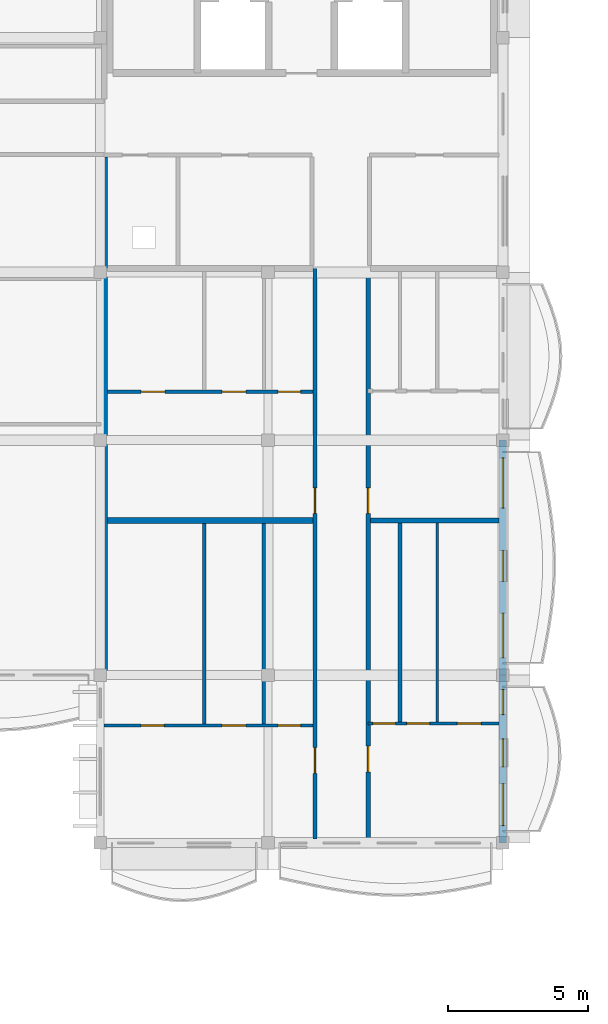
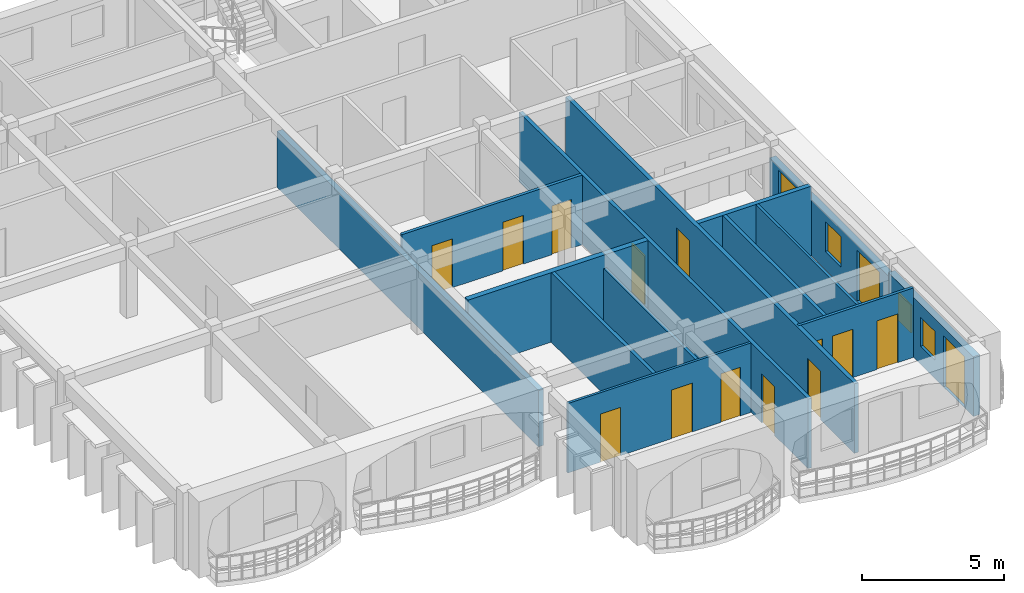
# One storey, part 39 of 68: 15 doors, 14 walls, 4 windows, 19 openings.
"""IFC4 building model written with IfcOpenShell, lengths in metres."""

import ifcopenshell
import ifcopenshell.guid

model = None  # the IFC model being written
_history = None  # IfcOwnerHistory: only IFC2X3 demands one
_inside = {}  # id of a spatial element -> (the spatial element, [elements in it])
_under = {}  # id of a project, library or spatial element -> (it, [spatial elements below it])
_declared = {}  # id of a project -> (the project, [libraries it declares])
_typed = {}  # id of a type object -> (the type object, [elements of that type])
_made_of = {}  # id of a material, layer set ... -> (it, [elements and type objects made of it])


def new_model(schema):
    """Start an empty IFC model of exactly this schema.

    Asked for "IFC4X3", IfcOpenShell would pick the latest addendum, in which some entities
    have other attributes; the version numbers below select the first issue.
    IFC2X3 requires an IfcOwnerHistory on every rooted entity: one is made here for all.
    """
    global model, _history
    if schema == "IFC4X3":
        model = ifcopenshell.file(schema_version=(4, 3, 0, 0))
    else:
        model = ifcopenshell.file(schema=schema)
    _inside.clear()
    _under.clear()
    _declared.clear()
    _typed.clear()
    _made_of.clear()
    _history = None
    if model.schema == "IFC2X3":
        org = make("IfcOrganization", Name="unknown")
        user = make(
            "IfcPersonAndOrganization",
            ThePerson=make("IfcPerson", FamilyName="unknown"),
            TheOrganization=org,
        )
        app = make(
            "IfcApplication",
            ApplicationDeveloper=org,
            Version="unknown",
            ApplicationFullName="unknown",
            ApplicationIdentifier="unknown",
        )
        _history = make(
            "IfcOwnerHistory",
            OwningUser=user,
            OwningApplication=app,
            ChangeAction="ADDED",
            CreationDate=0,
        )
    return model


def make(cls, **values):
    """One entity of the class cls with the attributes given. An attribute that is None is left unset."""
    return model.create_entity(
        cls, **{name: value for name, value in values.items() if value is not None}
    )


def rooted(cls, **values):
    """An entity with a GlobalId (a new one), such as an element, a storey or a relation."""
    return make(cls, GlobalId=ifcopenshell.guid.new(), OwnerHistory=_history, **values)


def si_unit(unit_type, name, prefix=None):
    """IfcSIUnit, for example si_unit("LENGTHUNIT", "METRE", prefix="MILLI")."""
    return make("IfcSIUnit", UnitType=unit_type, Prefix=prefix, Name=name)


def assignment(units):
    """IfcUnitAssignment: the units of a project."""
    return None if units is None else make("IfcUnitAssignment", Units=units)


def point(xyz):
    """IfcCartesianPoint."""
    return None if xyz is None else make("IfcCartesianPoint", Coordinates=xyz)


def direction(xyz):
    """IfcDirection."""
    return None if xyz is None else make("IfcDirection", DirectionRatios=xyz)


def frame(location, z_axis=None, x_axis=None):
    """IfcAxis2Placement3D, a coordinate frame: its origin and axes. An axis left out is left unset."""
    return make(
        "IfcAxis2Placement3D",
        Location=point(location),
        Axis=direction(z_axis),
        RefDirection=direction(x_axis),
    )


def frame_2d(location, x_axis=None):
    """IfcAxis2Placement2D, a coordinate frame in the plane: its origin and x axis."""
    return make(
        "IfcAxis2Placement2D", Location=point(location), RefDirection=direction(x_axis)
    )


def origin():
    """The frame at (0, 0, 0) with its axes left unset."""
    return frame((0.0, 0.0, 0.0))


def place(relative_to, where):
    """IfcLocalPlacement: puts the frame where relative to a parent placement (None: the world)."""
    return make(
        "IfcLocalPlacement", PlacementRelTo=relative_to, RelativePlacement=where
    )


def context(
    kind, dimensions, precision=None, world=None, true_north=None, identifier=None
):
    """IfcGeometricRepresentationContext, for example the 3D "Model" context."""
    return make(
        "IfcGeometricRepresentationContext",
        ContextIdentifier=identifier,
        ContextType=kind,
        CoordinateSpaceDimension=dimensions,
        Precision=precision,
        WorldCoordinateSystem=world,
        TrueNorth=true_north,
    )


def subcontext(parent, identifier, kind, view, scale=None):
    """IfcGeometricRepresentationSubContext, for example "Body" below "Model"."""
    return make(
        "IfcGeometricRepresentationSubContext",
        ContextIdentifier=identifier,
        ContextType=kind,
        ParentContext=parent,
        TargetScale=scale,
        TargetView=view,
    )


def project(units=None, contexts=None):
    """IfcProject with its units and contexts."""
    return rooted(
        "IfcProject",
        Name="project",
        RepresentationContexts=contexts,
        UnitsInContext=assignment(units),
    )


def spatial(cls, under=None, at=None, **own):
    """A site, building, storey or space (cls), placed at a placement, below another one or the project."""
    s = rooted(cls, ObjectPlacement=at, **own)
    if under is not None:
        _under.setdefault(under.id(), (under, []))[1].append(s)
    return s


def profile(cls, at=None, kind="AREA", **sizes):
    """A parametric profile (cls). Its sizes go by their IFC names, for example OverallWidth=200.0."""
    return make(cls, ProfileType=kind, Position=at, **sizes)


def rectangle(**sizes):
    """IfcRectangleProfileDef."""
    return profile("IfcRectangleProfileDef", **sizes)


def extrude(swept, where, along, depth):
    """IfcExtrudedAreaSolid: the profile swept, set in the frame where, extruded along a direction by depth."""
    return make(
        "IfcExtrudedAreaSolid",
        SweptArea=swept,
        Position=where,
        ExtrudedDirection=direction(along),
        Depth=depth,
    )


def shape(context_of_items, identifier, shape_type, items):
    """IfcShapeRepresentation: the items that make up one representation, for example the "Body"."""
    return make(
        "IfcShapeRepresentation",
        ContextOfItems=context_of_items,
        RepresentationIdentifier=identifier,
        RepresentationType=shape_type,
        Items=items,
    )


def material(Name=None, Category=None):
    """IfcMaterial."""
    return make("IfcMaterial", Name=Name, Category=Category)


def layer(
    of_material, thickness, ventilated=None, Name=None, Category=None, Priority=None
):
    """IfcMaterialLayer: one layer of a wall or slab, of a material (None: an air gap)."""
    return make(
        "IfcMaterialLayer",
        Material=of_material,
        LayerThickness=thickness,
        IsVentilated=ventilated,
        Name=Name,
        Category=Category,
        Priority=Priority,
    )


def layer_set(layers, Name=None):
    """IfcMaterialLayerSet."""
    return make("IfcMaterialLayerSet", MaterialLayers=layers, LayerSetName=Name)


def made_of(thing, what):
    """Note that an element or type object is made of a material, layer set ...; save() writes the relation."""
    if what is not None:
        _made_of.setdefault(what.id(), (what, []))[1].append(thing)
    return thing


def type_object(cls, material=None, **own):
    """A type object (cls), such as IfcWallType, which elements share."""
    return made_of(rooted(cls, **own), material)


def element(
    cls,
    number,
    at=None,
    inside=None,
    cuts=None,
    type_object=None,
    material=None,
    context=None,
    identifier="Body",
    shape_type=None,
    held_by="IfcProductDefinitionShape",
    body=None,
    shapes=None,
    **own,
):
    """One element of the class cls, such as IfcWall. Its Tag is "e" and its number.

    at: its placement. inside: the storey or other place that contains it. cuts: it is an
    opening in that element (IfcRelVoidsElement). A single representation is given by context,
    identifier, shape_type and body (its items); several are given by shapes. held_by: the class
    of the entity that holds the representations. save() writes the other relations.
    """
    e = rooted(cls, Tag="e%d" % number, ObjectPlacement=at, **own)
    if body is not None:
        shapes = [shape(context, identifier, shape_type, body)]
    if shapes is not None:
        e.Representation = make(held_by, Representations=shapes)
    if inside is not None:
        _inside.setdefault(inside.id(), (inside, []))[1].append(e)
    if cuts is not None:
        rooted(
            "IfcRelVoidsElement", RelatingBuildingElement=cuts, RelatedOpeningElement=e
        )
    if type_object is not None:
        _typed.setdefault(type_object.id(), (type_object, []))[1].append(e)
    return made_of(e, material)


def fill(opening, filler):
    """IfcRelFillsElement: the door or window that sits in an opening."""
    return rooted(
        "IfcRelFillsElement",
        RelatingOpeningElement=opening,
        RelatedBuildingElement=filler,
    )


def aggregate(whole, parts):
    """IfcRelAggregates: a whole, such as a stair, and the parts it consists of."""
    return rooted("IfcRelAggregates", RelatingObject=whole, RelatedObjects=parts)


def save(model, path):
    """Write the relations noted so far, then the file.

    IfcRelAggregates (storeys below a building ...), IfcRelContainedInSpatialStructure (elements
    in a storey), IfcRelDefinesByType, IfcRelAssociatesMaterial and IfcRelDeclares: one each for
    every whole, place, type object, material and project.
    """
    for whole, parts in _under.values():
        aggregate(whole, parts)
    for where, things in _inside.values():
        rooted(
            "IfcRelContainedInSpatialStructure",
            RelatedElements=things,
            RelatingStructure=where,
        )
    for kind, things in _typed.values():
        rooted("IfcRelDefinesByType", RelatedObjects=things, RelatingType=kind)
    for what, things in _made_of.values():
        rooted("IfcRelAssociatesMaterial", RelatedObjects=things, RelatingMaterial=what)
    for by, libraries in _declared.values():
        rooted("IfcRelDeclares", RelatingContext=by, RelatedDefinitions=libraries)
    model.write(path)


model = new_model("IFC4")

# Units and contexts
model_context = context("Model", 3, precision=1e-05, world=origin(), true_north=direction((0.0, 1.0)))
body_context = subcontext(model_context, "Body", "Model", "MODEL_VIEW")
ifc_project = project(units=[si_unit("LENGTHUNIT", "METRE"), si_unit("AREAUNIT", "SQUARE_METRE"), si_unit("VOLUMEUNIT", "CUBIC_METRE"), si_unit("PLANEANGLEUNIT", "RADIAN"), si_unit("MASSUNIT", "GRAM", prefix="KILO"), si_unit("THERMODYNAMICTEMPERATUREUNIT", "KELVIN")], contexts=[model_context])

# Site, building, storey
site_placement = place(None, origin())
site = spatial("IfcSite", under=ifc_project, at=site_placement, CompositionType="ELEMENT")
building_placement = place(site_placement, origin())
building = spatial("IfcBuilding", under=site, at=building_placement, Name="Thalorik Housing Commons", CompositionType="ELEMENT")
storey_placement = place(building_placement, frame((0.0, 0.0, 24.60009765625)))
storey = spatial("IfcBuildingStorey", under=building, at=storey_placement, Name="L07", CompositionType="ELEMENT", Elevation=24.60009765625)

# Wall, openings, doors
ifc_material_1 = material(Name="Masonry fire-rated corridor wall", Category="masonry")
ifc_layer_1 = layer(ifc_material_1, 0.14990234375, Name="Masonry fire-rated corridor wall", Category="masonry")
ifc_layer_set_1 = layer_set([ifc_layer_1], Name="Masonry fire-rated corridor wall")
wall_type_1 = type_object("IfcWallType", Name="ARC-WAL-CORR-150", PredefinedType="PARTITIONING", material=ifc_layer_set_1)
wall_1_placement = place(storey_placement, frame((160.080078125, 37.33447265625, 0.0), z_axis=(0.0, 0.0, 1.0), x_axis=(0.0, 1.0, 0.0)))
wall_1 = element("IfcWall", 1, at=wall_1_placement, inside=storey, type_object=wall_type_1, Name="L07 Block D E Corridor Wall 1", PredefinedType="PARTITIONING", context=body_context, shape_type="SweptSolid", body=[
    extrude(rectangle(XDim=20.405517578125, YDim=0.14990234375, at=frame_2d((10.20263671875, 0.0))), origin(), (0.0, 0.0, 1.0), 3.0),
])
opening_1_placement = place(wall_1_placement, frame((2.348876953125, 0.0, 0.0)))
opening_1 = element("IfcOpeningElement", 2, at=opening_1_placement, cuts=wall_1, Name="Opening ID-2136", PredefinedType="OPENING", context=body_context, shape_type="SweptSolid", body=[
    extrude(rectangle(XDim=0.919921875, YDim=2.10009765625, at=frame_2d((0.4599609375, 1.050048828125))), frame((0.0, 0.0849609375, 0.0), z_axis=(0.0, -1.0, 0.0), x_axis=(1.0, 0.0, 0.0)), (0.0, 0.0, 1.0), 0.169921875),
])
opening_2_placement = place(wall_1_placement, frame((11.6455078125, 0.0, 0.0)))
opening_2 = element("IfcOpeningElement", 3, at=opening_2_placement, cuts=wall_1, Name="Opening ID-2137", PredefinedType="OPENING", context=body_context, shape_type="SweptSolid", body=[
    extrude(rectangle(XDim=0.919921875, YDim=2.10009765625, at=frame_2d((0.4599609375, 1.050048828125))), frame((0.0, 0.0849609375, 0.0), z_axis=(0.0, -1.0, 0.0), x_axis=(1.0, 0.0, 0.0)), (0.0, 0.0, 1.0), 0.169921875),
])
ifc_material_2 = material(Name="Solid core hardwood timber", Category="wood")
door_type_1 = type_object("IfcDoorType", Name="ARC-DR-FD30-920", OperationType="NOTDEFINED", PredefinedType="DOOR", material=ifc_material_2)
door_1_placement = place(opening_1_placement, origin())
door_1 = element("IfcDoor", 4, at=door_1_placement, inside=storey, type_object=door_type_1, Name="L07 Flat DE-1A Entrance Door", OperationType="SINGLE_SWING_LEFT", OverallHeight=2.10009765625, OverallWidth=0.919921875, PredefinedType="DOOR", context=body_context, shape_type="SweptSolid", body=[
    extrude(rectangle(XDim=0.919921875, YDim=2.10009765625, at=frame_2d((0.4599609375, 1.050048828125))), frame((0.0, 0.02490234375, 0.0), z_axis=(0.0, -1.0, 0.0), x_axis=(1.0, 0.0, 0.0)), (0.0, 0.0, 1.0), 0.050048828125),
])
fill(opening_1, door_1)
door_2_placement = place(opening_2_placement, origin())
door_2 = element("IfcDoor", 5, at=door_2_placement, inside=storey, type_object=door_type_1, Name="L07 Flat DE-2A Entrance Door", OperationType="SINGLE_SWING_RIGHT", OverallHeight=2.10009765625, OverallWidth=0.919921875, PredefinedType="DOOR", context=body_context, shape_type="SweptSolid", body=[
    extrude(rectangle(XDim=0.919921875, YDim=2.10009765625, at=frame_2d((0.4599609375, 1.050048828125))), frame((0.0, 0.02490234375, 0.0), z_axis=(0.0, -1.0, 0.0), x_axis=(1.0, 0.0, 0.0)), (0.0, 0.0, 1.0), 0.050048828125),
])
fill(opening_2, door_2)

ifc_layer_2 = layer(ifc_material_1, 0.1650390625, Name="Masonry fire-rated corridor wall", Category="masonry")
ifc_layer_set_2 = layer_set([ifc_layer_2], Name="Masonry fire-rated corridor wall")
wall_type_2 = type_object("IfcWallType", Name="ARC-WAL-CORR-165", PredefinedType="PARTITIONING", material=ifc_layer_set_2)
wall_2_placement = place(storey_placement, frame((161.97998046875, 37.33447265625, 0.0), z_axis=(0.0, 0.0, 1.0), x_axis=(0.0, 1.0, 0.0)))
wall_2 = element("IfcWall", 6, at=wall_2_placement, inside=storey, type_object=wall_type_2, Name="L07 Block D E Corridor Wall 2", PredefinedType="PARTITIONING", context=body_context, shape_type="SweptSolid", body=[
    extrude(rectangle(XDim=20.405517578125, YDim=0.1650390625, at=frame_2d((10.20263671875, 0.0))), origin(), (0.0, 0.0, 1.0), 3.0),
])
opening_3_placement = place(wall_2_placement, frame((2.40625, 0.0, 0.0)))
opening_3 = element("IfcOpeningElement", 7, at=opening_3_placement, cuts=wall_2, Name="Opening ID-2138", PredefinedType="OPENING", context=body_context, shape_type="SweptSolid", body=[
    extrude(rectangle(XDim=0.919921875, YDim=2.10009765625, at=frame_2d((0.4599609375, 1.050048828125))), frame((0.0, 0.092529296875, 0.0), z_axis=(0.0, -1.0, 0.0), x_axis=(1.0, 0.0, 0.0)), (0.0, 0.0, 1.0), 0.18505859375),
])
opening_4_placement = place(wall_2_placement, frame((11.6455078125, 0.0, 0.0)))
opening_4 = element("IfcOpeningElement", 8, at=opening_4_placement, cuts=wall_2, Name="Opening ID-2139", PredefinedType="OPENING", context=body_context, shape_type="SweptSolid", body=[
    extrude(rectangle(XDim=0.919921875, YDim=2.10009765625, at=frame_2d((0.4599609375, 1.050048828125))), frame((0.0, 0.092529296875, 0.0), z_axis=(0.0, -1.0, 0.0), x_axis=(1.0, 0.0, 0.0)), (0.0, 0.0, 1.0), 0.18505859375),
])
door_3_placement = place(opening_3_placement, origin())
door_3 = element("IfcDoor", 9, at=door_3_placement, inside=storey, type_object=door_type_1, Name="L07 Flat DE-1B Entrance Door", OperationType="SINGLE_SWING_LEFT", OverallHeight=2.10009765625, OverallWidth=0.919921875, PredefinedType="DOOR", context=body_context, shape_type="SweptSolid", body=[
    extrude(rectangle(XDim=0.919921875, YDim=2.10009765625, at=frame_2d((0.4599609375, 1.050048828125))), frame((0.0, 0.02490234375, 0.0), z_axis=(0.0, -1.0, 0.0), x_axis=(1.0, 0.0, 0.0)), (0.0, 0.0, 1.0), 0.050048828125),
])
fill(opening_3, door_3)
door_4_placement = place(opening_4_placement, origin())
door_4 = element("IfcDoor", 10, at=door_4_placement, inside=storey, type_object=door_type_1, Name="L07 Flat DE-2B Entrance Door", OperationType="SINGLE_SWING_RIGHT", OverallHeight=2.10009765625, OverallWidth=0.919921875, PredefinedType="DOOR", context=body_context, shape_type="SweptSolid", body=[
    extrude(rectangle(XDim=0.919921875, YDim=2.10009765625, at=frame_2d((0.4599609375, 1.050048828125))), frame((0.0, 0.02490234375, 0.0), z_axis=(0.0, -1.0, 0.0), x_axis=(1.0, 0.0, 0.0)), (0.0, 0.0, 1.0), 0.050048828125),
])
fill(opening_4, door_4)

# Wall, openings, door, windows
ifc_material_3 = material(Name="White precast concrete C40/50", Category="concrete")
ifc_layer_3 = layer(ifc_material_3, 0.264892578125, Name="White precast concrete C40/50", Category="concrete")
ifc_layer_set_3 = layer_set([ifc_layer_3], Name="White precast concrete C40/50")
wall_type_3 = type_object("IfcWallType", Name="ARC-WAL-EXT-265", PredefinedType="STANDARD", material=ifc_layer_set_3)
wall_3_placement = place(storey_placement, frame((166.800048828125, 37.199951171875, 0.0), z_axis=(0.0, 0.0, 1.0), x_axis=(0.0, 1.0, 0.0)))
wall_3 = element("IfcWall", 11, at=wall_3_placement, inside=storey, type_object=wall_type_3, Name="L07 Exterior Wall WAL-EXT-L07-D-1254", PredefinedType="STANDARD", context=body_context, shape_type="SweptSolid", body=[
    extrude(rectangle(XDim=6.0, YDim=0.264892578125, at=frame_2d((3.0, 0.0))), origin(), (0.0, 0.0, 1.0), 2.574951171875),
])
opening_5_placement = place(wall_3_placement, frame((0.6201171875, 0.0, 0.0)))
opening_5 = element("IfcOpeningElement", 12, at=opening_5_placement, cuts=wall_3, Name="Opening ED-0427", PredefinedType="OPENING", context=body_context, shape_type="SweptSolid", body=[
    extrude(rectangle(XDim=1.5, YDim=2.199951171875, at=frame_2d((0.75, 1.10009765625))), frame((0.0, 0.142578125, 0.0), z_axis=(0.0, -1.0, 0.0), x_axis=(1.0, 0.0, 0.0)), (0.0, 0.0, 1.0), 0.284912109375),
])
opening_6_placement = place(wall_3_placement, frame((2.7177734375, 0.0, 0.780029296875)))
opening_6 = element("IfcOpeningElement", 13, at=opening_6_placement, cuts=wall_3, Name="Opening W-02", PredefinedType="OPENING", context=body_context, shape_type="SweptSolid", body=[
    extrude(rectangle(XDim=1.0, YDim=1.25, at=frame_2d((0.5, 0.625))), frame((0.0, 0.142578125, 0.0), z_axis=(0.0, -1.0, 0.0), x_axis=(1.0, 0.0, 0.0)), (0.0, 0.0, 1.0), 0.284912109375),
])
opening_7_placement = place(wall_3_placement, frame((4.587890625, 0.0, 0.780029296875)))
opening_7 = element("IfcOpeningElement", 14, at=opening_7_placement, cuts=wall_3, Name="Opening W-01", PredefinedType="OPENING", context=body_context, shape_type="SweptSolid", body=[
    extrude(rectangle(XDim=0.89990234375, YDim=1.199951171875, at=frame_2d((0.449951171875, 0.60009765625))), frame((0.0, 0.142578125, 0.0), z_axis=(0.0, -1.0, 0.0), x_axis=(1.0, 0.0, 0.0)), (0.0, 0.0, 1.0), 0.284912109375),
])
ifc_material_4 = material(Name="Anodised aluminium and laminated safety glass", Category="aluminium")
door_type_2 = type_object("IfcDoorType", Name="ARC-DR-BAL-1500", OperationType="NOTDEFINED", PredefinedType="DOOR", material=ifc_material_4)
door_5_placement = place(opening_5_placement, frame((1.5, 0.0, 0.0), z_axis=(0.0, 0.0, 1.0), x_axis=(-1.0, 0.0, 0.0)))
door_5 = element("IfcDoor", 15, at=door_5_placement, inside=storey, type_object=door_type_2, Name="L07 Block D Balcony Glazed Door", OperationType="SLIDING_TO_RIGHT", OverallHeight=2.199951171875, OverallWidth=1.5, PredefinedType="DOOR", context=body_context, shape_type="SweptSolid", body=[
    extrude(rectangle(XDim=1.5, YDim=2.199951171875, at=frame_2d((0.75, 1.10009765625))), frame((0.0, 0.02490234375, 0.0), z_axis=(0.0, -1.0, 0.0), x_axis=(1.0, 0.0, 0.0)), (0.0, 0.0, 1.0), 0.050048828125),
])
fill(opening_5, door_5)
ifc_material_5 = material(Name="Anodised aluminium and solar-control low-E glass", Category="aluminium")
window_type_1 = type_object("IfcWindowType", Name="ARC-WIN-01", PartitioningType="SINGLE_PANEL", PredefinedType="WINDOW", material=ifc_material_5)
window_1_placement = place(opening_7_placement, origin())
window_1 = element("IfcWindow", 16, at=window_1_placement, inside=storey, type_object=window_type_1, Name="L07 Facade Window 2286", OverallHeight=1.199951171875, OverallWidth=0.89990234375, PartitioningType="SINGLE_PANEL", PredefinedType="WINDOW", context=body_context, shape_type="SweptSolid", body=[
    extrude(rectangle(XDim=0.89990234375, YDim=1.199951171875, at=frame_2d((0.449951171875, 0.60009765625))), frame((0.0, 0.030029296875, 0.0), z_axis=(0.0, -1.0, 0.0), x_axis=(1.0, 0.0, 0.0)), (0.0, 0.0, 1.0), 0.06005859375),
])
fill(opening_7, window_1)
window_type_2 = type_object("IfcWindowType", Name="ARC-WIN-02", PartitioningType="SINGLE_PANEL", PredefinedType="WINDOW", material=ifc_material_5)
window_2_placement = place(opening_6_placement, origin())
window_2 = element("IfcWindow", 17, at=window_2_placement, inside=storey, type_object=window_type_2, Name="L07 Facade Window 2285", OverallHeight=1.25, OverallWidth=1.0, PartitioningType="SINGLE_PANEL", PredefinedType="WINDOW", context=body_context, shape_type="SweptSolid", body=[
    extrude(rectangle(XDim=1.0, YDim=1.25, at=frame_2d((0.5, 0.625))), frame((0.0, 0.030029296875, 0.0), z_axis=(0.0, -1.0, 0.0), x_axis=(1.0, 0.0, 0.0)), (0.0, 0.0, 1.0), 0.06005859375),
])
fill(opening_6, window_2)

wall_4_placement = place(storey_placement, frame((166.800048828125, 43.199951171875, 0.0), z_axis=(0.0, 0.0, 1.0), x_axis=(0.0, 1.0, 0.0)))
wall_4 = element("IfcWall", 18, at=wall_4_placement, inside=storey, type_object=wall_type_3, Name="L07 Exterior Wall WAL-EXT-L07-D-1255", PredefinedType="STANDARD", context=body_context, shape_type="SweptSolid", body=[
    extrude(rectangle(XDim=8.400146484375, YDim=0.264892578125, at=frame_2d((4.2001953125, 0.0))), origin(), (0.0, 0.0, 1.0), 2.4248046875),
])
opening_8_placement = place(wall_4_placement, frame((0.6201171875, 0.0, 0.0)))
opening_8 = element("IfcOpeningElement", 19, at=opening_8_placement, cuts=wall_4, Name="Opening ED-0428", PredefinedType="OPENING", context=body_context, shape_type="SweptSolid", body=[
    extrude(rectangle(XDim=1.60009765625, YDim=2.199951171875, at=frame_2d((0.800048828125, 1.10009765625))), frame((0.0, 0.142578125, 0.0), z_axis=(0.0, -1.0, 0.0), x_axis=(1.0, 0.0, 0.0)), (0.0, 0.0, 1.0), 0.284912109375),
])
opening_9_placement = place(wall_4_placement, frame((3.35009765625, 0.0, 0.780029296875)))
opening_9 = element("IfcOpeningElement", 20, at=opening_9_placement, cuts=wall_4, Name="Opening W-03", PredefinedType="OPENING", context=body_context, shape_type="SweptSolid", body=[
    extrude(rectangle(XDim=1.10009765625, YDim=1.300048828125, at=frame_2d((0.550048828125, 0.64990234375))), frame((0.0, 0.142578125, 0.0), z_axis=(0.0, -1.0, 0.0), x_axis=(1.0, 0.0, 0.0)), (0.0, 0.0, 1.0), 0.284912109375),
])
opening_10_placement = place(wall_4_placement, frame((5.969970703125, 0.0, 0.780029296875)))
opening_10 = element("IfcOpeningElement", 21, at=opening_10_placement, cuts=wall_4, Name="Opening W-18", PredefinedType="OPENING", context=body_context, shape_type="SweptSolid", body=[
    extrude(rectangle(XDim=1.800048828125, YDim=1.5, at=frame_2d((0.89990234375, 0.75))), frame((0.0, 0.142578125, 0.0), z_axis=(0.0, -1.0, 0.0), x_axis=(1.0, 0.0, 0.0)), (0.0, 0.0, 1.0), 0.284912109375),
])
door_type_3 = type_object("IfcDoorType", Name="ARC-DR-BAL-1600", OperationType="NOTDEFINED", PredefinedType="DOOR", material=ifc_material_4)
door_6_placement = place(opening_8_placement, frame((1.60009765625, 0.0, 0.0), z_axis=(0.0, 0.0, 1.0), x_axis=(-1.0, 0.0, 0.0)))
door_6 = element("IfcDoor", 22, at=door_6_placement, inside=storey, type_object=door_type_3, Name="L07 Block D Balcony Glazed Door", OperationType="SLIDING_TO_LEFT", OverallHeight=2.199951171875, OverallWidth=1.60009765625, PredefinedType="DOOR", context=body_context, shape_type="SweptSolid", body=[
    extrude(rectangle(XDim=1.60009765625, YDim=2.199951171875, at=frame_2d((0.800048828125, 1.10009765625))), frame((0.0, 0.02490234375, 0.0), z_axis=(0.0, -1.0, 0.0), x_axis=(1.0, 0.0, 0.0)), (0.0, 0.0, 1.0), 0.050048828125),
])
fill(opening_8, door_6)
window_type_3 = type_object("IfcWindowType", Name="ARC-WIN-03", PartitioningType="SINGLE_PANEL", PredefinedType="WINDOW", material=ifc_material_5)
window_3_placement = place(opening_9_placement, origin())
window_3 = element("IfcWindow", 23, at=window_3_placement, inside=storey, type_object=window_type_3, Name="L07 Facade Window 2287", OverallHeight=1.300048828125, OverallWidth=1.10009765625, PartitioningType="SINGLE_PANEL", PredefinedType="WINDOW", context=body_context, shape_type="SweptSolid", body=[
    extrude(rectangle(XDim=1.10009765625, YDim=1.300048828125, at=frame_2d((0.550048828125, 0.64990234375))), frame((0.0, 0.030029296875, 0.0), z_axis=(0.0, -1.0, 0.0), x_axis=(1.0, 0.0, 0.0)), (0.0, 0.0, 1.0), 0.06005859375),
])
fill(opening_9, window_3)
window_type_4 = type_object("IfcWindowType", Name="ARC-WIN-18", PartitioningType="DOUBLE_PANEL_VERTICAL", PredefinedType="WINDOW", material=ifc_material_5)
window_4_placement = place(opening_10_placement, origin())
window_4 = element("IfcWindow", 24, at=window_4_placement, inside=storey, type_object=window_type_4, Name="L07 Facade Window 2288", OverallHeight=1.5, OverallWidth=1.800048828125, PartitioningType="DOUBLE_PANEL_VERTICAL", PredefinedType="WINDOW", context=body_context, shape_type="SweptSolid", body=[
    extrude(rectangle(XDim=1.800048828125, YDim=1.5, at=frame_2d((0.89990234375, 0.75))), frame((0.0, 0.030029296875, 0.0), z_axis=(0.0, -1.0, 0.0), x_axis=(1.0, 0.0, 0.0)), (0.0, 0.0, 1.0), 0.06005859375),
])
fill(opening_10, window_4)

# Wall, openings, doors
ifc_material_6 = material(Name="Gypsum light stud partition", Category="masonry")
ifc_layer_4 = layer(ifc_material_6, 0.10009765625, Name="Gypsum light stud partition", Category="masonry")
ifc_layer_set_4 = layer_set([ifc_layer_4], Name="Gypsum light stud partition")
wall_type_4 = type_object("IfcWallType", Name="ARC-WAL-PART-100", PredefinedType="PARTITIONING", material=ifc_layer_set_4)
wall_5_placement = place(storey_placement, frame((152.534423828125, 41.39501953125, 0.0), z_axis=(0.0, 0.0, 1.0), x_axis=(1.0, 0.0, 0.0)))
wall_5 = element("IfcWall", 25, at=wall_5_placement, inside=storey, type_object=wall_type_4, Name="L07 Unit 1 Spine Partition", PredefinedType="PARTITIONING", context=body_context, shape_type="SweptSolid", body=[
    extrude(rectangle(XDim=7.468505859375, YDim=0.10009765625, at=frame_2d((3.734375, 0.0))), origin(), (0.0, 0.0, 1.0), 3.0),
])
opening_11_placement = place(wall_5_placement, frame((1.329345703125, 0.0, 0.0)))
opening_11 = element("IfcOpeningElement", 26, at=opening_11_placement, cuts=wall_5, Name="Opening ID-2124", PredefinedType="OPENING", context=body_context, shape_type="SweptSolid", body=[
    extrude(rectangle(XDim=0.820068359375, YDim=2.080078125, at=frame_2d((0.41015625, 1.0400390625))), frame((0.0, 0.06005859375, 0.0), z_axis=(0.0, -1.0, 0.0), x_axis=(1.0, 0.0, 0.0)), (0.0, 0.0, 1.0), 0.1201171875),
])
opening_12_placement = place(wall_5_placement, frame((4.224853515625, 0.0, 0.0)))
opening_12 = element("IfcOpeningElement", 27, at=opening_12_placement, cuts=wall_5, Name="Opening ID-2125", PredefinedType="OPENING", context=body_context, shape_type="SweptSolid", body=[
    extrude(rectangle(XDim=0.85009765625, YDim=2.10009765625, at=frame_2d((0.425048828125, 1.050048828125))), frame((0.0, 0.06005859375, 0.0), z_axis=(0.0, -1.0, 0.0), x_axis=(1.0, 0.0, 0.0)), (0.0, 0.0, 1.0), 0.1201171875),
])
opening_13_placement = place(wall_5_placement, frame((6.231201171875, 0.0, 0.0)))
opening_13 = element("IfcOpeningElement", 28, at=opening_13_placement, cuts=wall_5, Name="Opening ID-2126", PredefinedType="OPENING", context=body_context, shape_type="SweptSolid", body=[
    extrude(rectangle(XDim=0.800048828125, YDim=2.10009765625, at=frame_2d((0.39990234375, 1.050048828125))), frame((0.0, 0.06005859375, 0.0), z_axis=(0.0, -1.0, 0.0), x_axis=(1.0, 0.0, 0.0)), (0.0, 0.0, 1.0), 0.1201171875),
])
ifc_material_7 = material(Name="Moisture-resistant timber", Category="wood")
door_type_4 = type_object("IfcDoorType", Name="ARC-DR-INT-800", OperationType="NOTDEFINED", PredefinedType="DOOR", material=ifc_material_7)
door_7_placement = place(opening_13_placement, origin())
door_7 = element("IfcDoor", 29, at=door_7_placement, inside=storey, type_object=door_type_4, Name="L07 Accessible Bathroom Door", OperationType="SINGLE_SWING_LEFT", OverallHeight=2.10009765625, OverallWidth=0.800048828125, PredefinedType="DOOR", context=body_context, shape_type="SweptSolid", body=[
    extrude(rectangle(XDim=0.800048828125, YDim=2.10009765625, at=frame_2d((0.39990234375, 1.050048828125))), frame((0.0, 0.02490234375, 0.0), z_axis=(0.0, -1.0, 0.0), x_axis=(1.0, 0.0, 0.0)), (0.0, 0.0, 1.0), 0.050048828125),
])
fill(opening_13, door_7)
ifc_material_8 = material(Name="Engineered oak timber", Category="wood")
door_type_5 = type_object("IfcDoorType", Name="ARC-DR-INT-820", OperationType="NOTDEFINED", PredefinedType="DOOR", material=ifc_material_8)
door_8_placement = place(opening_11_placement, origin())
door_8 = element("IfcDoor", 30, at=door_8_placement, inside=storey, type_object=door_type_5, Name="L07 Single Bedroom Door", OperationType="SINGLE_SWING_LEFT", OverallHeight=2.080078125, OverallWidth=0.820068359375, PredefinedType="DOOR", context=body_context, shape_type="SweptSolid", body=[
    extrude(rectangle(XDim=0.820068359375, YDim=2.080078125, at=frame_2d((0.41015625, 1.0400390625))), frame((0.0, 0.02490234375, 0.0), z_axis=(0.0, -1.0, 0.0), x_axis=(1.0, 0.0, 0.0)), (0.0, 0.0, 1.0), 0.050048828125),
])
fill(opening_11, door_8)
door_type_6 = type_object("IfcDoorType", Name="ARC-DR-INT-850", OperationType="NOTDEFINED", PredefinedType="DOOR", material=ifc_material_8)
door_9_placement = place(opening_12_placement, origin())
door_9 = element("IfcDoor", 31, at=door_9_placement, inside=storey, type_object=door_type_6, Name="L07 Eat-In Kitchen Door", OperationType="SINGLE_SWING_RIGHT", OverallHeight=2.10009765625, OverallWidth=0.85009765625, PredefinedType="DOOR", context=body_context, shape_type="SweptSolid", body=[
    extrude(rectangle(XDim=0.85009765625, YDim=2.10009765625, at=frame_2d((0.425048828125, 1.050048828125))), frame((0.0, 0.02490234375, 0.0), z_axis=(0.0, -1.0, 0.0), x_axis=(1.0, 0.0, 0.0)), (0.0, 0.0, 1.0), 0.050048828125),
])
fill(opening_12, door_9)

# Wall
wall_6_placement = place(storey_placement, frame((164.455078125, 41.525146484375, 0.0), z_axis=(0.0, 0.0, 1.0), x_axis=(0.0, 1.0, 0.0)))
element("IfcWall", 32, at=wall_6_placement, inside=storey, type_object=wall_type_4, Name="L07 Unit 1B Bedroom Partition", PredefinedType="PARTITIONING", context=body_context, shape_type="SweptSolid", body=[
    extrude(rectangle(XDim=7.1103515625, YDim=0.10009765625, at=frame_2d((3.55517578125, 0.0))), origin(), (0.0, 0.0, 1.0), 3.0),
])

# Wall, openings, doors
ifc_material_9 = material(Name="Gypsum moisture-resistant partition", Category="masonry")
ifc_layer_5 = layer(ifc_material_9, 0.114990234375, Name="Gypsum moisture-resistant partition", Category="masonry")
ifc_layer_set_5 = layer_set([ifc_layer_5], Name="Gypsum moisture-resistant partition")
wall_type_5 = type_object("IfcWallType", Name="ARC-WAL-PART-115", PredefinedType="PARTITIONING", material=ifc_layer_set_5)
wall_7_placement = place(storey_placement, frame((161.97998046875, 41.465576171875, 0.0), z_axis=(0.0, 0.0, 1.0), x_axis=(1.0, 0.0, 0.0)))
wall_7 = element("IfcWall", 33, at=wall_7_placement, inside=storey, type_object=wall_type_5, Name="L07 Unit 1B Spine Partition", PredefinedType="PARTITIONING", context=body_context, shape_type="SweptSolid", body=[
    extrude(rectangle(XDim=4.685546875, YDim=0.114990234375, at=frame_2d((2.3427734375, 0.0))), origin(), (0.0, 0.0, 1.0), 3.0),
])
opening_14_placement = place(wall_7_placement, frame((0.171142578125, 0.0, 0.0)))
opening_14 = element("IfcOpeningElement", 34, at=opening_14_placement, cuts=wall_7, Name="Opening ID-2127", PredefinedType="OPENING", context=body_context, shape_type="SweptSolid", body=[
    extrude(rectangle(XDim=0.800048828125, YDim=2.10009765625, at=frame_2d((0.39990234375, 1.050048828125))), frame((0.0, 0.0673828125, 0.0), z_axis=(0.0, -1.0, 0.0), x_axis=(1.0, 0.0, 0.0)), (0.0, 0.0, 1.0), 0.135009765625),
])
opening_15_placement = place(wall_7_placement, frame((1.3837890625, 0.0, 0.0)))
opening_15 = element("IfcOpeningElement", 35, at=opening_15_placement, cuts=wall_7, Name="Opening ID-2128", PredefinedType="OPENING", context=body_context, shape_type="SweptSolid", body=[
    extrude(rectangle(XDim=0.820068359375, YDim=2.080078125, at=frame_2d((0.41015625, 1.0400390625))), frame((0.0, 0.0673828125, 0.0), z_axis=(0.0, -1.0, 0.0), x_axis=(1.0, 0.0, 0.0)), (0.0, 0.0, 1.0), 0.135009765625),
])
opening_16_placement = place(wall_7_placement, frame((3.192626953125, 0.0, 0.0)))
opening_16 = element("IfcOpeningElement", 36, at=opening_16_placement, cuts=wall_7, Name="Opening ID-2129", PredefinedType="OPENING", context=body_context, shape_type="SweptSolid", body=[
    extrude(rectangle(XDim=0.85009765625, YDim=2.10009765625, at=frame_2d((0.425048828125, 1.050048828125))), frame((0.0, 0.0673828125, 0.0), z_axis=(0.0, -1.0, 0.0), x_axis=(1.0, 0.0, 0.0)), (0.0, 0.0, 1.0), 0.135009765625),
])
door_10_placement = place(opening_14_placement, origin())
door_10 = element("IfcDoor", 37, at=door_10_placement, inside=storey, type_object=door_type_4, Name="L07 Flat Bathroom Door", OperationType="SINGLE_SWING_RIGHT", OverallHeight=2.10009765625, OverallWidth=0.800048828125, PredefinedType="DOOR", context=body_context, shape_type="SweptSolid", body=[
    extrude(rectangle(XDim=0.800048828125, YDim=2.10009765625, at=frame_2d((0.39990234375, 1.050048828125))), frame((0.0, 0.02490234375, 0.0), z_axis=(0.0, -1.0, 0.0), x_axis=(1.0, 0.0, 0.0)), (0.0, 0.0, 1.0), 0.050048828125),
])
fill(opening_14, door_10)
door_11_placement = place(opening_15_placement, origin())
door_11 = element("IfcDoor", 38, at=door_11_placement, inside=storey, type_object=door_type_5, Name="L07 Eat-In Kitchen Door", OperationType="SINGLE_SWING_LEFT", OverallHeight=2.080078125, OverallWidth=0.820068359375, PredefinedType="DOOR", context=body_context, shape_type="SweptSolid", body=[
    extrude(rectangle(XDim=0.820068359375, YDim=2.080078125, at=frame_2d((0.41015625, 1.0400390625))), frame((0.0, 0.02490234375, 0.0), z_axis=(0.0, -1.0, 0.0), x_axis=(1.0, 0.0, 0.0)), (0.0, 0.0, 1.0), 0.050048828125),
])
fill(opening_15, door_11)
door_12_placement = place(opening_16_placement, origin())
door_12 = element("IfcDoor", 39, at=door_12_placement, inside=storey, type_object=door_type_6, Name="L07 Master Bedroom Door", OperationType="SINGLE_SWING_RIGHT", OverallHeight=2.10009765625, OverallWidth=0.85009765625, PredefinedType="DOOR", context=body_context, shape_type="SweptSolid", body=[
    extrude(rectangle(XDim=0.85009765625, YDim=2.10009765625, at=frame_2d((0.425048828125, 1.050048828125))), frame((0.0, 0.02490234375, 0.0), z_axis=(0.0, -1.0, 0.0), x_axis=(1.0, 0.0, 0.0)), (0.0, 0.0, 1.0), 0.050048828125),
])
fill(opening_16, door_12)

# Wall
ifc_material_10 = material(Name="Gypsum acoustic stud partition", Category="masonry")
ifc_layer_6 = layer(ifc_material_10, 0.125, Name="Gypsum acoustic stud partition", Category="masonry")
ifc_layer_set_6 = layer_set([ifc_layer_6], Name="Gypsum acoustic stud partition")
wall_type_6 = type_object("IfcWallType", Name="ARC-WAL-PART-125", PredefinedType="PARTITIONING", material=ifc_layer_set_6)
wall_8_placement = place(storey_placement, frame((158.251220703125, 41.447021484375, 0.0), z_axis=(0.0, 0.0, 1.0), x_axis=(0.0, 1.0, 0.0)))
element("IfcWall", 40, at=wall_8_placement, inside=storey, type_object=wall_type_6, Name="L07 Unit 1 Wet Wall", PredefinedType="PARTITIONING", context=body_context, shape_type="SweptSolid", body=[
    extrude(rectangle(XDim=7.1708984375, YDim=0.125, at=frame_2d((3.58544921875, 0.0))), origin(), (0.0, 0.0, 1.0), 2.4248046875),
])

# Wall, openings, doors
wall_9_placement = place(storey_placement, frame((152.652099609375, 53.3349609375, 0.0), z_axis=(0.0, 0.0, 1.0), x_axis=(1.0, 0.0, 0.0)))
wall_9 = element("IfcWall", 41, at=wall_9_placement, inside=storey, type_object=wall_type_6, Name="L07 Unit 2 Spine Partition", PredefinedType="PARTITIONING", context=body_context, shape_type="SweptSolid", body=[
    extrude(rectangle(XDim=7.350830078125, YDim=0.125, at=frame_2d((3.67529296875, 0.0))), origin(), (0.0, 0.0, 1.0), 3.0),
])
opening_17_placement = place(wall_9_placement, frame((1.2119140625, 0.0, 0.0)))
opening_17 = element("IfcOpeningElement", 42, at=opening_17_placement, cuts=wall_9, Name="Opening ID-2130", PredefinedType="OPENING", context=body_context, shape_type="SweptSolid", body=[
    extrude(rectangle(XDim=0.85009765625, YDim=2.10009765625, at=frame_2d((0.425048828125, 1.050048828125))), frame((0.0, 0.072509765625, 0.0), z_axis=(0.0, -1.0, 0.0), x_axis=(1.0, 0.0, 0.0)), (0.0, 0.0, 1.0), 0.14501953125),
])
opening_18_placement = place(wall_9_placement, frame((4.107421875, 0.0, 0.0)))
opening_18 = element("IfcOpeningElement", 43, at=opening_18_placement, cuts=wall_9, Name="Opening ID-2131", PredefinedType="OPENING", context=body_context, shape_type="SweptSolid", body=[
    extrude(rectangle(XDim=0.85009765625, YDim=2.10009765625, at=frame_2d((0.425048828125, 1.050048828125))), frame((0.0, 0.072509765625, 0.0), z_axis=(0.0, -1.0, 0.0), x_axis=(1.0, 0.0, 0.0)), (0.0, 0.0, 1.0), 0.14501953125),
])
opening_19_placement = place(wall_9_placement, frame((6.113525390625, 0.0, 0.0)))
opening_19 = element("IfcOpeningElement", 44, at=opening_19_placement, cuts=wall_9, Name="Opening ID-2132", PredefinedType="OPENING", context=body_context, shape_type="SweptSolid", body=[
    extrude(rectangle(XDim=0.800048828125, YDim=2.10009765625, at=frame_2d((0.39990234375, 1.050048828125))), frame((0.0, 0.072509765625, 0.0), z_axis=(0.0, -1.0, 0.0), x_axis=(1.0, 0.0, 0.0)), (0.0, 0.0, 1.0), 0.14501953125),
])
door_13_placement = place(opening_19_placement, origin())
door_13 = element("IfcDoor", 45, at=door_13_placement, inside=storey, type_object=door_type_4, Name="L07 Flat Bathroom Door", OperationType="SINGLE_SWING_LEFT", OverallHeight=2.10009765625, OverallWidth=0.800048828125, PredefinedType="DOOR", context=body_context, shape_type="SweptSolid", body=[
    extrude(rectangle(XDim=0.800048828125, YDim=2.10009765625, at=frame_2d((0.39990234375, 1.050048828125))), frame((0.0, 0.02490234375, 0.0), z_axis=(0.0, -1.0, 0.0), x_axis=(1.0, 0.0, 0.0)), (0.0, 0.0, 1.0), 0.050048828125),
])
fill(opening_19, door_13)
door_14_placement = place(opening_17_placement, origin())
door_14 = element("IfcDoor", 46, at=door_14_placement, inside=storey, type_object=door_type_6, Name="L07 Single Bedroom Door", OperationType="SINGLE_SWING_LEFT", OverallHeight=2.10009765625, OverallWidth=0.85009765625, PredefinedType="DOOR", context=body_context, shape_type="SweptSolid", body=[
    extrude(rectangle(XDim=0.85009765625, YDim=2.10009765625, at=frame_2d((0.425048828125, 1.050048828125))), frame((0.0, 0.02490234375, 0.0), z_axis=(0.0, -1.0, 0.0), x_axis=(1.0, 0.0, 0.0)), (0.0, 0.0, 1.0), 0.050048828125),
])
fill(opening_17, door_14)
door_15_placement = place(opening_18_placement, origin())
door_15 = element("IfcDoor", 47, at=door_15_placement, inside=storey, type_object=door_type_6, Name="L07 Galley Kitchen Door", OperationType="SINGLE_SWING_RIGHT", OverallHeight=2.10009765625, OverallWidth=0.85009765625, PredefinedType="DOOR", context=body_context, shape_type="SweptSolid", body=[
    extrude(rectangle(XDim=0.85009765625, YDim=2.10009765625, at=frame_2d((0.425048828125, 1.050048828125))), frame((0.0, 0.02490234375, 0.0), z_axis=(0.0, -1.0, 0.0), x_axis=(1.0, 0.0, 0.0)), (0.0, 0.0, 1.0), 0.050048828125),
])
fill(opening_18, door_15)

# Walls
ifc_material_11 = material(Name="Ceramic masonry partition wall", Category="masonry")
ifc_layer_7 = layer(ifc_material_11, 0.139892578125, Name="Ceramic masonry partition wall", Category="masonry")
ifc_layer_set_7 = layer_set([ifc_layer_7], Name="Ceramic masonry partition wall")
wall_type_7 = type_object("IfcWallType", Name="ARC-WAL-PART-140", PredefinedType="PARTITIONING", material=ifc_layer_set_7)
wall_10_placement = place(storey_placement, frame((156.11767578125, 41.447021484375, 0.0), z_axis=(0.0, 0.0, 1.0), x_axis=(0.0, 1.0, 0.0)))
element("IfcWall", 48, at=wall_10_placement, inside=storey, type_object=wall_type_7, Name="L07 Unit 1 Bedroom Partition", PredefinedType="PARTITIONING", context=body_context, shape_type="SweptSolid", body=[
    extrude(rectangle(XDim=7.1708984375, YDim=0.139892578125, at=frame_2d((3.58544921875, 0.0))), origin(), (0.0, 0.0, 1.0), 3.0),
])
wall_11_placement = place(storey_placement, frame((163.122314453125, 41.525146484375, 0.0), z_axis=(0.0, 0.0, 1.0), x_axis=(0.0, 1.0, 0.0)))
element("IfcWall", 49, at=wall_11_placement, inside=storey, type_object=wall_type_7, Name="L07 Unit 1B Wet Wall", PredefinedType="PARTITIONING", context=body_context, shape_type="SweptSolid", body=[
    extrude(rectangle(XDim=7.1103515625, YDim=0.139892578125, at=frame_2d((3.55517578125, 0.0))), origin(), (0.0, 0.0, 1.0), 3.0),
])
ifc_material_12 = material(Name="Masonry acoustic blockwork wall", Category="masonry")
ifc_layer_8 = layer(ifc_material_12, 0.18505859375, Name="Masonry acoustic blockwork wall", Category="masonry")
ifc_layer_set_8 = layer_set([ifc_layer_8], Name="Masonry acoustic blockwork wall")
wall_type_8 = type_object("IfcWallType", Name="ARC-WAL-PARTY-185", PredefinedType="PARTITIONING", material=ifc_layer_set_8)
wall_12_placement = place(storey_placement, frame((162.064453125, 48.72998046875, 0.0), z_axis=(0.0, 0.0, 1.0), x_axis=(1.0, 0.0, 0.0)))
element("IfcWall", 50, at=wall_12_placement, inside=storey, type_object=wall_type_8, Name="L07 Inter-Tenancy Wall 1B", PredefinedType="PARTITIONING", context=body_context, shape_type="SweptSolid", body=[
    extrude(rectangle(XDim=4.60107421875, YDim=0.18505859375, at=frame_2d((2.300537109375, 0.0))), origin(), (0.0, 0.0, 1.0), 3.0),
])
ifc_material_13 = material(Name="Precast concrete C40/50 acoustic wall", Category="concrete")
ifc_layer_9 = layer(ifc_material_13, 0.219970703125, Name="Precast concrete C40/50 acoustic wall", Category="concrete")
ifc_layer_set_9 = layer_set([ifc_layer_9], Name="Precast concrete C40/50 acoustic wall")
wall_type_9 = type_object("IfcWallType", Name="ARC-WAL-PARTY-220", PredefinedType="PARTITIONING", material=ifc_layer_set_9)
wall_13_placement = place(storey_placement, frame((152.652099609375, 48.72998046875, 0.0), z_axis=(0.0, 0.0, 1.0), x_axis=(1.0, 0.0, 0.0)))
element("IfcWall", 51, at=wall_13_placement, inside=storey, type_object=wall_type_9, Name="L07 Inter-Tenancy Wall 1A", PredefinedType="PARTITIONING", context=body_context, shape_type="SweptSolid", body=[
    extrude(rectangle(XDim=7.350830078125, YDim=0.219970703125, at=frame_2d((3.67529296875, 0.0))), origin(), (0.0, 0.0, 1.0), 3.0),
])
wall_14_placement = place(storey_placement, frame((152.5400390625, 43.260009765625, 0.0), z_axis=(0.0, 0.0, 1.0), x_axis=(0.0, 1.0, 0.0)))
element("IfcWall", 52, at=wall_14_placement, inside=storey, type_object=wall_type_9, Name="L07 Core End Wall A", PredefinedType="PARTITIONING", context=body_context, shape_type="SweptSolid", body=[
    extrude(rectangle(XDim=18.464111328125, YDim=0.219970703125, at=frame_2d((9.23193359375, 0.0))), origin(), (0.0, 0.0, 1.0), 2.4248046875),
])

save(model, "model.ifc")
